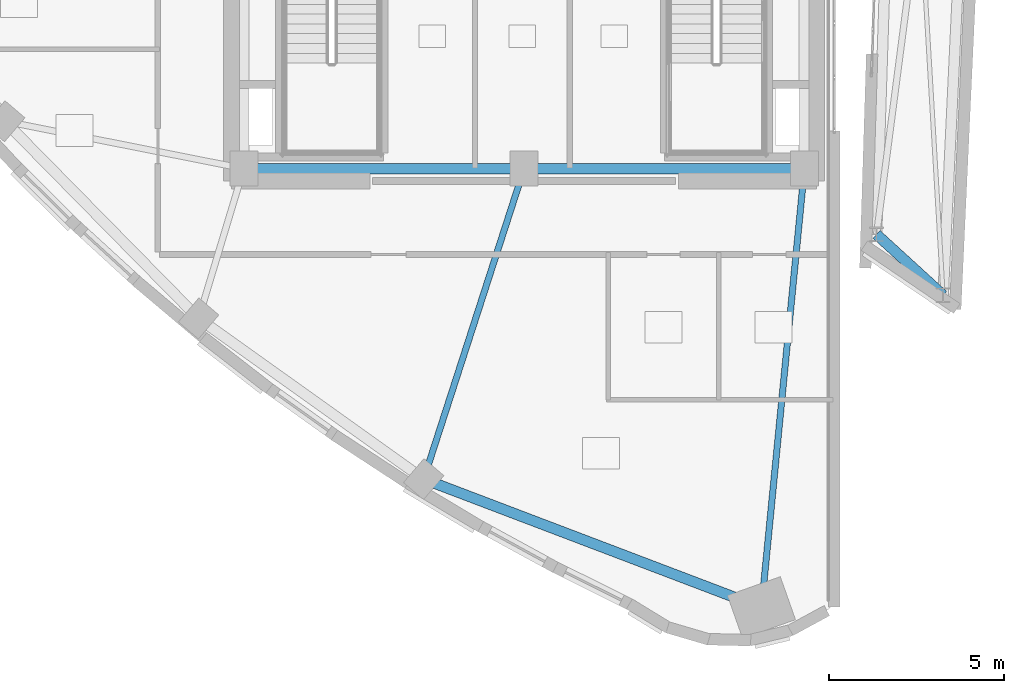
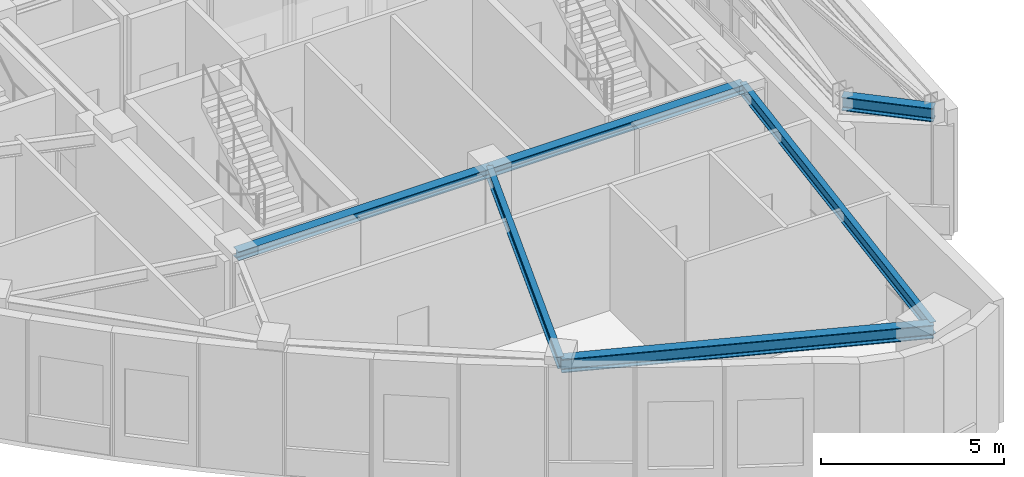
# One storey, part 3 of 19: 6 beams.
"""IFC4 building model written with IfcOpenShell, lengths in metres."""

from ifc_helpers import new_model, si_unit, direction, frame, origin, origin_2d, place, context, subcontext, project, spatial, i_section, extrude, material, material_profile, profile_set, type_object, element, save


model = new_model("IFC4")

# Units and contexts
model_context = context("Model", 3, precision=1e-05, world=origin(), true_north=direction((0.0, 1.0)))
body_context = subcontext(model_context, "Body", "Model", "MODEL_VIEW")
ifc_project = project(units=[si_unit("LENGTHUNIT", "METRE"), si_unit("AREAUNIT", "SQUARE_METRE"), si_unit("VOLUMEUNIT", "CUBIC_METRE"), si_unit("PLANEANGLEUNIT", "RADIAN"), si_unit("MASSUNIT", "GRAM", prefix="KILO")], contexts=[model_context])

# Site, building, storey
site_placement = place(None, origin())
site = spatial("IfcSite", under=ifc_project, at=site_placement, CompositionType="ELEMENT")
building_placement = place(site_placement, origin())
building = spatial("IfcBuilding", under=site, at=building_placement, Name="Ndelora Gate Hotel", CompositionType="ELEMENT")
storey_placement = place(building_placement, frame((0.0, 0.0, 299.199951171875)))
storey = spatial("IfcBuildingStorey", under=building, at=storey_placement, Name="L74", CompositionType="ELEMENT", Elevation=299.199951171875)

# Beams
ifc_material = material(Name="Steel S355", Category="steel")
ifc_material_profile_1 = material_profile(ifc_material, i_section(OverallWidth=0.300048828125, OverallDepth=0.300048828125, WebThickness=0.010986328125, FlangeThickness=0.01904296875, FilletRadius=0.027099609375, at=origin_2d()), Name="HEB 300")
ifc_profile_set_1 = profile_set([ifc_material_profile_1], Name="Steel S355")
beam_type_1 = type_object("IfcBeamType", Name="BM-CORE-300", PredefinedType="BEAM", material=ifc_profile_set_1)
for number, where, z_axis, x_axis, name in (
    (1, (-8.0, -6.60009765625, 3.969970703125), (1.0, 0.0, 0.0), (0.0, 1.0, 0.0), "L74 Core Tie Girder CC1-CC2"),
    (2, (0.0, -6.60009765625, 3.969970703125), (1.0, 0.0, 0.0), (0.0, 1.0, 0.0), "L74 Core Tie Girder CC2-CC3"),
):
    element("IfcBeam", number, at=place(storey_placement, frame(where, z_axis=z_axis, x_axis=x_axis)), inside=storey, type_object=beam_type_1, Name=name, PredefinedType="BEAM", context=body_context, shape_type="SweptSolid", body=[
        extrude(i_section(OverallWidth=0.300048828125, OverallDepth=0.300048828125, WebThickness=0.010986328125, FlangeThickness=0.01904296875, FilletRadius=0.027099609375, at=origin_2d()), origin(), (0.0, 0.0, 1.0), 8.0),
    ])
ifc_material_profile_2 = material_profile(ifc_material, i_section(OverallWidth=0.179931640625, OverallDepth=0.39990234375, WebThickness=0.008544921875, FlangeThickness=0.013427734375, FilletRadius=0.02099609375, at=origin_2d()), Name="IPE 400")
ifc_profile_set_2 = profile_set([ifc_material_profile_2], Name="Steel S355")
beam_type_2 = type_object("IfcBeamType", Name="BM-RAD-400", PredefinedType="BEAM", material=ifc_profile_set_2)
beam_1_placement = place(storey_placement, frame((0.0, -6.60009765625, 3.920166015625), z_axis=(-0.307689759964, -0.951486737487, 0.0), x_axis=(0.951486737487, -0.307689759964, 0.0)))
element("IfcBeam", 3, at=beam_1_placement, inside=storey, type_object=beam_type_2, Name="L74 structural beam FB-5", PredefinedType="BEAM", context=body_context, shape_type="SweptSolid", body=[
    extrude(i_section(OverallWidth=0.179931640625, OverallDepth=0.39990234375, WebThickness=0.008544921875, FlangeThickness=0.013427734375, FilletRadius=0.02099609375, at=origin_2d()), origin(), (0.0, 0.0, 1.0), 9.31298828125),
])
beam_2_placement = place(storey_placement, frame((8.0, -6.60009765625, 3.920166015625), z_axis=(-0.097513783863, -0.995234174432, 0.0), x_axis=(0.995234174432, -0.097513783863, 0.0)))
element("IfcBeam", 4, at=beam_2_placement, inside=storey, type_object=beam_type_2, Name="L74 structural beam FB-5", PredefinedType="BEAM", context=body_context, shape_type="SweptSolid", body=[
    extrude(i_section(OverallWidth=0.179931640625, OverallDepth=0.39990234375, WebThickness=0.008544921875, FlangeThickness=0.013427734375, FilletRadius=0.02099609375, at=origin_2d()), origin(), (0.0, 0.0, 1.0), 12.5859375),
])
ifc_material_profile_3 = material_profile(ifc_material, i_section(OverallWidth=0.300048828125, OverallDepth=0.449951171875, WebThickness=0.013916015625, FlangeThickness=0.02587890625, FilletRadius=0.027099609375, at=origin_2d()), Name="HEB 450")
ifc_profile_set_3 = profile_set([ifc_material_profile_3], Name="Steel S355")
beam_type_3 = type_object("IfcBeamType", Name="BM-RING-450", PredefinedType="SPANDREL", material=ifc_profile_set_3)
beam_3_placement = place(storey_placement, frame((-2.865478515625, -15.461181640625, 3.89501953125), z_axis=(0.934709973152, -0.355411403997, 0.0), x_axis=(0.355411403997, 0.934709973152, 0.0)))
element("IfcBeam", 5, at=beam_3_placement, inside=storey, type_object=beam_type_3, Name="L74 structural beam RB-5", PredefinedType="SPANDREL", context=body_context, shape_type="SweptSolid", body=[
    extrude(i_section(OverallWidth=0.300048828125, OverallDepth=0.449951171875, WebThickness=0.013916015625, FlangeThickness=0.02587890625, FilletRadius=0.027099609375, at=origin_2d()), origin(), (0.0, 0.0, 1.0), 10.3115234375),
])
beam_4_placement = place(storey_placement, frame((10.0576171875, -8.478271484375, 3.89501953125), z_axis=(0.738512212633, -0.674240099514, 0.0), x_axis=(0.674240099514, 0.738512212633, 0.0)))
element("IfcBeam", 6, at=beam_4_placement, inside=storey, type_object=beam_type_3, Name="L74 structural beam RB-5", PredefinedType="SPANDREL", context=body_context, shape_type="SweptSolid", body=[
    extrude(i_section(OverallWidth=0.300048828125, OverallDepth=0.449951171875, WebThickness=0.013916015625, FlangeThickness=0.02587890625, FilletRadius=0.027099609375, at=origin_2d()), origin(), (0.0, 0.0, 1.0), 2.571533203125),
])

save(model, "model.ifc")
